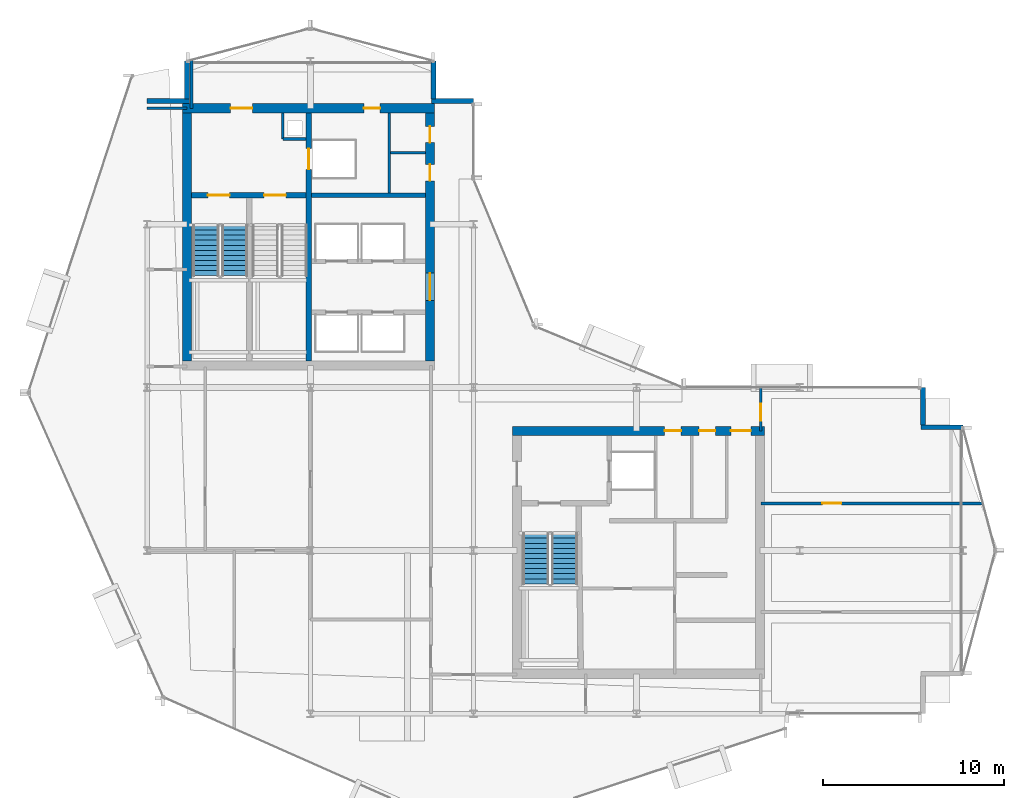
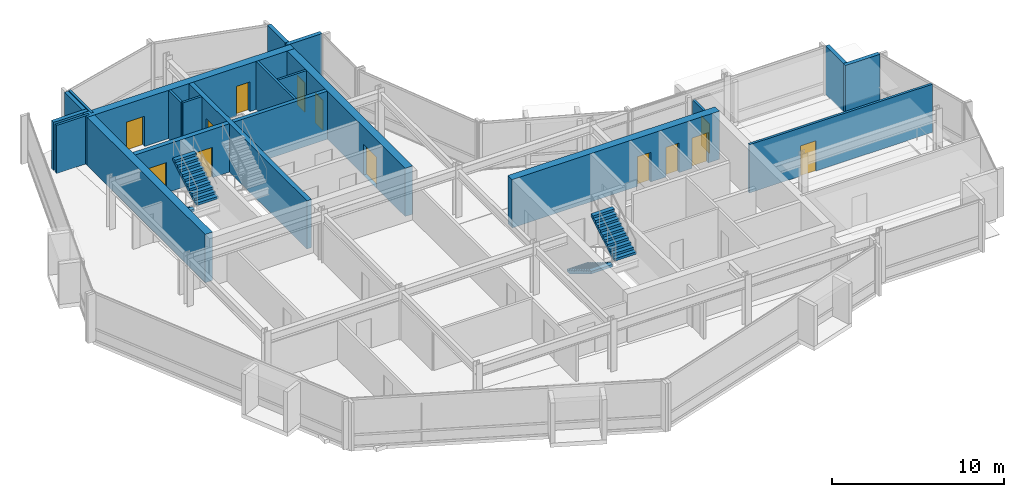
# One storey, part 21 of 28: 21 walls, 13 doors, 4 stair flights, 13 openings, 2 elements without a shape of their own.
"""IFC4 building model written with IfcOpenShell, lengths in metres."""

from ifc_helpers import new_model, si_unit, direction, frame, frame_2d, origin, place, context, subcontext, project, spatial, polyline, rectangle, outline, extrude, material, layer, layer_set, type_object, element, fill, aggregate, save


model = new_model("IFC4")

# Units and contexts
model_context = context("Model", 3, precision=1e-05, world=origin(), true_north=direction((0.0, 1.0)))
body_context = subcontext(model_context, "Body", "Model", "MODEL_VIEW")
ifc_project = project(units=[si_unit("LENGTHUNIT", "METRE"), si_unit("AREAUNIT", "SQUARE_METRE"), si_unit("VOLUMEUNIT", "CUBIC_METRE"), si_unit("PLANEANGLEUNIT", "RADIAN"), si_unit("MASSUNIT", "GRAM", prefix="KILO")], contexts=[model_context])

# Site, building, storey
site_placement = place(None, origin())
site = spatial("IfcSite", under=ifc_project, at=site_placement, CompositionType="ELEMENT")
building_placement = place(site_placement, origin())
building = spatial("IfcBuilding", under=site, at=building_placement, Name="Solvaryn Broadcast Tower", CompositionType="ELEMENT")
storey_placement = place(building_placement, frame((0.0, 0.0, 206.199951171875)))
storey = spatial("IfcBuildingStorey", under=building, at=storey_placement, Name="L51", CompositionType="ELEMENT", Elevation=206.199951171875)

# Wall, openings, doors
ifc_material_1 = material(Name="Concrete f'c 70 MPa", Category="concrete")
ifc_layer_1 = layer(ifc_material_1, 0.5)
ifc_layer_set_1 = layer_set([ifc_layer_1], Name="CW-SHEAR-500")
wall_type_1 = type_object("IfcWallType", Name="CW-SHEAR-500", PredefinedType="SHEAR", material=ifc_layer_set_1)
wall_1_placement = place(storey_placement, frame((24.85009765625, 42.39990234375, 0.0), z_axis=(0.0, 0.0, 1.0), x_axis=(-1.0, 0.0, 0.0)))
wall_1 = element("IfcWall", 1, at=wall_1_placement, inside=storey, type_object=wall_type_1, Name="L51 West Core North Shear Wall", PredefinedType="SHEAR", context=body_context, shape_type="SweptSolid", body=[
    extrude(rectangle(XDim=13.900146484375, YDim=0.5, at=frame_2d((6.9501953125, 0.0))), origin(), (0.0, 0.0, 1.0), 3.420166015625),
])
opening_1_placement = place(wall_1_placement, frame((10.050048828125, 0.0, 0.0)))
opening_1 = element("IfcOpeningElement", 2, at=opening_1_placement, cuts=wall_1, Name="Opening FD90A", PredefinedType="OPENING", context=body_context, shape_type="SweptSolid", body=[
    extrude(rectangle(XDim=1.199951171875, YDim=2.14990234375, at=frame_2d((0.60009765625, 1.074951171875))), frame((0.0, 0.260009765625, 0.0), z_axis=(0.0, -1.0, 0.0), x_axis=(1.0, 0.0, 0.0)), (0.0, 0.0, 1.0), 0.52001953125),
])
opening_2_placement = place(wall_1_placement, frame((3.0, 0.0, 0.0)))
opening_2 = element("IfcOpeningElement", 3, at=opening_2_placement, cuts=wall_1, Name="Opening FD60C", PredefinedType="OPENING", context=body_context, shape_type="SweptSolid", body=[
    extrude(rectangle(XDim=0.89990234375, YDim=2.10009765625, at=frame_2d((0.449951171875, 1.050048828125))), frame((0.0, 0.260009765625, 0.0), z_axis=(0.0, -1.0, 0.0), x_axis=(1.0, 0.0, 0.0)), (0.0, 0.0, 1.0), 0.52001953125),
])
ifc_material_2 = material(Name="Flush Acoustic Steel and Timber Door Assembly", Category="steel")
door_type_1 = type_object("IfcDoorType", Name="FD60-SERV-900X2100", OperationType="NOTDEFINED", PredefinedType="DOOR", material=ifc_material_2)
door_1_placement = place(opening_2_placement, origin())
door_1 = element("IfcDoor", 4, at=door_1_placement, inside=storey, type_object=door_type_1, Name="L51 West Core Fiber Riser Door", OperationType="SINGLE_SWING_RIGHT", OverallHeight=2.10009765625, OverallWidth=0.89990234375, PredefinedType="DOOR", context=body_context, shape_type="SweptSolid", body=[
    extrude(rectangle(XDim=0.89990234375, YDim=2.10009765625, at=frame_2d((0.449951171875, 1.050048828125))), frame((0.0, 0.02490234375, 0.0), z_axis=(0.0, -1.0, 0.0), x_axis=(1.0, 0.0, 0.0)), (0.0, 0.0, 1.0), 0.050048828125),
])
fill(opening_2, door_1)
ifc_material_3 = material(Name="Flush Acoustic Steel and Timber Door Assembly", Category="steel")
door_type_2 = type_object("IfcDoorType", Name="FD90-STAIR-1200X2150", OperationType="NOTDEFINED", PredefinedType="DOOR", material=ifc_material_3)
door_2_placement = place(opening_1_placement, origin())
door_2 = element("IfcDoor", 5, at=door_2_placement, inside=storey, type_object=door_type_2, Name="L51 West FSAE Lobby Corridor Door", OperationType="SINGLE_SWING_LEFT", OverallHeight=2.14990234375, OverallWidth=1.199951171875, PredefinedType="DOOR", context=body_context, shape_type="SweptSolid", body=[
    extrude(rectangle(XDim=1.199951171875, YDim=2.14990234375, at=frame_2d((0.60009765625, 1.074951171875))), frame((0.0, 0.02490234375, 0.0), z_axis=(0.0, -1.0, 0.0), x_axis=(1.0, 0.0, 0.0)), (0.0, 0.0, 1.0), 0.050048828125),
])
fill(opening_1, door_2)

# Wall
wall_2_placement = place(storey_placement, frame((11.199951171875, 42.14990234375, 0.0), z_axis=(0.0, 0.0, 1.0), x_axis=(0.0, -1.0, 0.0)))
element("IfcWall", 6, at=wall_2_placement, inside=storey, type_object=wall_type_1, Name="L51 West Core West Shear Wall", PredefinedType="SHEAR", context=body_context, shape_type="SweptSolid", body=[
    extrude(rectangle(XDim=13.699951171875, YDim=0.5, at=frame_2d((6.85009765625, 0.0))), origin(), (0.0, 0.0, 1.0), 3.420166015625),
])

# Wall, openings, doors
wall_3_placement = place(storey_placement, frame((24.60009765625, 28.449951171875, 0.0), z_axis=(0.0, 0.0, 1.0), x_axis=(0.0, 1.0, 0.0)))
wall_3 = element("IfcWall", 7, at=wall_3_placement, inside=storey, type_object=wall_type_1, Name="L51 West Core East Shear Wall", PredefinedType="SHEAR", context=body_context, shape_type="SweptSolid", body=[
    extrude(rectangle(XDim=13.699951171875, YDim=0.5, at=frame_2d((6.85009765625, 0.0))), origin(), (0.0, 0.0, 1.0), 3.420166015625),
])
opening_3_placement = place(wall_3_placement, frame((3.35009765625, 0.0, 0.0)))
opening_3 = element("IfcOpeningElement", 8, at=opening_3_placement, cuts=wall_3, Name="Opening FD60A", PredefinedType="OPENING", context=body_context, shape_type="SweptSolid", body=[
    extrude(rectangle(XDim=1.5, YDim=2.199951171875, at=frame_2d((0.75, 1.10009765625))), frame((0.0, 0.260009765625, 0.0), z_axis=(0.0, -1.0, 0.0), x_axis=(1.0, 0.0, 0.0)), (0.0, 0.0, 1.0), 0.52001953125),
])
opening_4_placement = place(wall_3_placement, frame((9.949951171875, 0.0, 0.0)))
opening_4 = element("IfcOpeningElement", 9, at=opening_4_placement, cuts=wall_3, Name="Opening FD60C", PredefinedType="OPENING", context=body_context, shape_type="SweptSolid", body=[
    extrude(rectangle(XDim=0.89990234375, YDim=2.10009765625, at=frame_2d((0.449951171875, 1.050048828125))), frame((0.0, 0.260009765625, 0.0), z_axis=(0.0, -1.0, 0.0), x_axis=(1.0, 0.0, 0.0)), (0.0, 0.0, 1.0), 0.52001953125),
])
opening_5_placement = place(wall_3_placement, frame((12.050048828125, 0.0, 0.0)))
opening_5 = element("IfcOpeningElement", 10, at=opening_5_placement, cuts=wall_3, Name="Opening FD60C", PredefinedType="OPENING", context=body_context, shape_type="SweptSolid", body=[
    extrude(rectangle(XDim=0.89990234375, YDim=2.10009765625, at=frame_2d((0.449951171875, 1.050048828125))), frame((0.0, 0.260009765625, 0.0), z_axis=(0.0, -1.0, 0.0), x_axis=(1.0, 0.0, 0.0)), (0.0, 0.0, 1.0), 0.52001953125),
])
ifc_material_4 = material(Name="Flush Acoustic Steel and Timber Door Assembly", Category="steel")
door_type_3 = type_object("IfcDoorType", Name="FD60-CORR-1500X2200", OperationType="NOTDEFINED", PredefinedType="DOOR", material=ifc_material_4)
door_3_placement = place(opening_3_placement, origin())
door_3 = element("IfcDoor", 11, at=door_3_placement, inside=storey, type_object=door_type_3, Name="L51 West Elevator Lobby Corridor Door", OperationType="DOUBLE_DOOR_SINGLE_SWING", OverallHeight=2.199951171875, OverallWidth=1.5, PredefinedType="DOOR", context=body_context, shape_type="SweptSolid", body=[
    extrude(rectangle(XDim=1.5, YDim=2.199951171875, at=frame_2d((0.75, 1.10009765625))), frame((0.0, 0.02490234375, 0.0), z_axis=(0.0, -1.0, 0.0), x_axis=(1.0, 0.0, 0.0)), (0.0, 0.0, 1.0), 0.050048828125),
])
fill(opening_3, door_3)
door_4_placement = place(opening_4_placement, origin())
door_4 = element("IfcDoor", 12, at=door_4_placement, inside=storey, type_object=door_type_1, Name="L51 West Core Service Door 1", OperationType="SINGLE_SWING_LEFT", OverallHeight=2.10009765625, OverallWidth=0.89990234375, PredefinedType="DOOR", context=body_context, shape_type="SweptSolid", body=[
    extrude(rectangle(XDim=0.89990234375, YDim=2.10009765625, at=frame_2d((0.449951171875, 1.050048828125))), frame((0.0, 0.02490234375, 0.0), z_axis=(0.0, -1.0, 0.0), x_axis=(1.0, 0.0, 0.0)), (0.0, 0.0, 1.0), 0.050048828125),
])
fill(opening_4, door_4)
door_5_placement = place(opening_5_placement, origin())
door_5 = element("IfcDoor", 13, at=door_5_placement, inside=storey, type_object=door_type_1, Name="L51 West Core Janitor Door", OperationType="SINGLE_SWING_RIGHT", OverallHeight=2.10009765625, OverallWidth=0.89990234375, PredefinedType="DOOR", context=body_context, shape_type="SweptSolid", body=[
    extrude(rectangle(XDim=0.89990234375, YDim=2.10009765625, at=frame_2d((0.449951171875, 1.050048828125))), frame((0.0, 0.02490234375, 0.0), z_axis=(0.0, -1.0, 0.0), x_axis=(1.0, 0.0, 0.0)), (0.0, 0.0, 1.0), 0.050048828125),
])
fill(opening_5, door_5)

wall_4_placement = place(storey_placement, frame((43.050048828125, 24.60009765625, 0.0), z_axis=(0.0, 0.0, 1.0), x_axis=(-1.0, 0.0, 0.0)))
wall_4 = element("IfcWall", 14, at=wall_4_placement, inside=storey, type_object=wall_type_1, Name="L51 East Core North Shear Wall", PredefinedType="SHEAR", context=body_context, shape_type="SweptSolid", body=[
    extrude(rectangle(XDim=13.900146484375, YDim=0.5, at=frame_2d((6.9501953125, 0.0))), origin(), (0.0, 0.0, 1.0), 3.420166015625),
])
opening_6_placement = place(wall_4_placement, frame((0.75, 0.0, 0.0)))
opening_6 = element("IfcOpeningElement", 15, at=opening_6_placement, cuts=wall_4, Name="Opening FD90C", PredefinedType="OPENING", context=body_context, shape_type="SweptSolid", body=[
    extrude(rectangle(XDim=1.10009765625, YDim=2.14990234375, at=frame_2d((0.550048828125, 1.074951171875))), frame((0.0, 0.260009765625, 0.0), z_axis=(0.0, -1.0, 0.0), x_axis=(1.0, 0.0, 0.0)), (0.0, 0.0, 1.0), 0.52001953125),
])
opening_7_placement = place(wall_4_placement, frame((2.699951171875, 0.0, 0.0)))
opening_7 = element("IfcOpeningElement", 16, at=opening_7_placement, cuts=wall_4, Name="Opening FD60C", PredefinedType="OPENING", context=body_context, shape_type="SweptSolid", body=[
    extrude(rectangle(XDim=0.89990234375, YDim=2.10009765625, at=frame_2d((0.449951171875, 1.050048828125))), frame((0.0, 0.260009765625, 0.0), z_axis=(0.0, -1.0, 0.0), x_axis=(1.0, 0.0, 0.0)), (0.0, 0.0, 1.0), 0.52001953125),
])
opening_8_placement = place(wall_4_placement, frame((4.60009765625, 0.0, 0.0)))
opening_8 = element("IfcOpeningElement", 17, at=opening_8_placement, cuts=wall_4, Name="Opening FD60C", PredefinedType="OPENING", context=body_context, shape_type="SweptSolid", body=[
    extrude(rectangle(XDim=0.89990234375, YDim=2.10009765625, at=frame_2d((0.449951171875, 1.050048828125))), frame((0.0, 0.260009765625, 0.0), z_axis=(0.0, -1.0, 0.0), x_axis=(1.0, 0.0, 0.0)), (0.0, 0.0, 1.0), 0.52001953125),
])
door_6_placement = place(opening_7_placement, origin())
door_6 = element("IfcDoor", 18, at=door_6_placement, inside=storey, type_object=door_type_1, Name="L51 Staff Restroom Door", OperationType="SINGLE_SWING_LEFT", OverallHeight=2.10009765625, OverallWidth=0.89990234375, PredefinedType="DOOR", context=body_context, shape_type="SweptSolid", body=[
    extrude(rectangle(XDim=0.89990234375, YDim=2.10009765625, at=frame_2d((0.449951171875, 1.050048828125))), frame((0.0, 0.02490234375, 0.0), z_axis=(0.0, -1.0, 0.0), x_axis=(1.0, 0.0, 0.0)), (0.0, 0.0, 1.0), 0.050048828125),
])
fill(opening_7, door_6)
door_7_placement = place(opening_8_placement, origin())
door_7 = element("IfcDoor", 19, at=door_7_placement, inside=storey, type_object=door_type_1, Name="L51 Accessible WC Door", OperationType="SINGLE_SWING_RIGHT", OverallHeight=2.10009765625, OverallWidth=0.89990234375, PredefinedType="DOOR", context=body_context, shape_type="SweptSolid", body=[
    extrude(rectangle(XDim=0.89990234375, YDim=2.10009765625, at=frame_2d((0.449951171875, 1.050048828125))), frame((0.0, 0.02490234375, 0.0), z_axis=(0.0, -1.0, 0.0), x_axis=(1.0, 0.0, 0.0)), (0.0, 0.0, 1.0), 0.050048828125),
])
fill(opening_8, door_7)
ifc_material_5 = material(Name="Flush Acoustic Steel and Timber Door Assembly", Category="steel")
door_type_4 = type_object("IfcDoorType", Name="FD90-PLANT-1100X2150", OperationType="NOTDEFINED", PredefinedType="DOOR", material=ifc_material_5)
door_8_placement = place(opening_6_placement, origin())
door_8 = element("IfcDoor", 20, at=door_8_placement, inside=storey, type_object=door_type_4, Name="L51 East Core Lobby Corridor Door", OperationType="SINGLE_SWING_LEFT", OverallHeight=2.14990234375, OverallWidth=1.10009765625, PredefinedType="DOOR", context=body_context, shape_type="SweptSolid", body=[
    extrude(rectangle(XDim=1.10009765625, YDim=2.14990234375, at=frame_2d((0.550048828125, 1.074951171875))), frame((0.0, 0.02490234375, 0.0), z_axis=(0.0, -1.0, 0.0), x_axis=(1.0, 0.0, 0.0)), (0.0, 0.0, 1.0), 0.050048828125),
])
fill(opening_6, door_8)

# Walls
ifc_material_6 = material(Name="Concrete f'c 50 MPa", Category="concrete")
ifc_layer_2 = layer(ifc_material_6, 0.260009765625)
ifc_layer_set_2 = layer_set([ifc_layer_2], Name="EW-PIER-260")
wall_type_2 = type_object("IfcWallType", Name="EW-PIER-260", PredefinedType="SOLIDWALL", material=ifc_layer_set_2)
wall_5_placement = place(storey_placement, frame((9.0, 42.800048828125, 0.0), z_axis=(0.0, 0.0, 1.0), x_axis=(1.0, 0.0, 0.0)))
element("IfcWall", 21, at=wall_5_placement, inside=storey, type_object=wall_type_2, Name="L51 Notched Corner Pier Wall NNW1", PredefinedType="SOLIDWALL", context=body_context, shape_type="SweptSolid", body=[
    extrude(rectangle(XDim=2.320068359375, YDim=0.260009765625, at=frame_2d((1.16015625, 0.0))), origin(), (0.0, 0.0, 1.0), 3.420166015625),
])
for number, where, z_axis, x_axis, name in (
    (22, (11.199951171875, 42.919921875, 0.0), (0.0, 0.0, 1.0), (0.0, 1.0, 0.0), "L51 Notched Corner Pier Wall NNW2"),
    (23, (24.800048828125, 45.0, 0.0), (0.0, 0.0, 1.0), (0.0, -1.0, 0.0), "L51 Notched Corner Pier Wall NNE1"),
):
    element("IfcWall", number, at=place(storey_placement, frame(where, z_axis=z_axis, x_axis=x_axis)), inside=storey, type_object=wall_type_2, Name=name, PredefinedType="SOLIDWALL", context=body_context, shape_type="SweptSolid", body=[
        extrude(rectangle(XDim=2.080078125, YDim=0.260009765625, at=frame_2d((1.0400390625, 0.0))), origin(), (0.0, 0.0, 1.0), 3.420166015625),
    ])
for number, where, z_axis, x_axis, name in (
    (24, (24.679931640625, 42.800048828125, 0.0), (0.0, 0.0, 1.0), (1.0, 0.0, 0.0), "L51 Notched Corner Pier Wall NNE2"),
    (25, (54.0, 24.800048828125, 0.0), (0.0, 0.0, 1.0), (-1.0, 0.0, 0.0), "L51 Notched Corner Pier Wall NEE1"),
):
    element("IfcWall", number, at=place(storey_placement, frame(where, z_axis=z_axis, x_axis=x_axis)), inside=storey, type_object=wall_type_2, Name=name, PredefinedType="SOLIDWALL", context=body_context, shape_type="SweptSolid", body=[
        extrude(rectangle(XDim=2.320068359375, YDim=0.260009765625, at=frame_2d((1.16015625, 0.0))), origin(), (0.0, 0.0, 1.0), 3.420166015625),
    ])
wall_6_placement = place(storey_placement, frame((51.800048828125, 24.919921875, 0.0), z_axis=(0.0, 0.0, 1.0), x_axis=(0.0, 1.0, 0.0)))
element("IfcWall", 26, at=wall_6_placement, inside=storey, type_object=wall_type_2, Name="L51 Notched Corner Pier Wall NEE2", PredefinedType="SOLIDWALL", context=body_context, shape_type="SweptSolid", body=[
    extrude(rectangle(XDim=2.080078125, YDim=0.260009765625, at=frame_2d((1.0400390625, 0.0))), origin(), (0.0, 0.0, 1.0), 3.420166015625),
])
ifc_material_7 = material(Name="Metal-Stud Service Core Partition")
ifc_layer_3 = layer(ifc_material_7, 0.14990234375)
ifc_layer_set_3 = layer_set([ifc_layer_3], Name="IW-PART-150")
wall_type_3 = type_object("IfcWallType", Name="IW-PART-150", PredefinedType="PARTITIONING", material=ifc_layer_set_3)
wall_7_placement = place(storey_placement, frame((16.47998046875, 40.699951171875, 0.0), z_axis=(0.0, 0.0, 1.0), x_axis=(1.0, 0.0, 0.0)))
element("IfcWall", 27, at=wall_7_placement, inside=storey, type_object=wall_type_3, Name="L51 West Core Riser Shaft South Wall", PredefinedType="PARTITIONING", context=body_context, shape_type="SweptSolid", body=[
    extrude(rectangle(XDim=1.2900390625, YDim=0.14990234375, at=frame_2d((0.64501953125, 0.0))), origin(), (0.0, 0.0, 1.0), 3.420166015625),
])
wall_8_placement = place(storey_placement, frame((16.47998046875, 40.699951171875, 0.0), z_axis=(0.0, 0.0, 1.0), x_axis=(0.0, 1.0, 0.0)))
element("IfcWall", 28, at=wall_8_placement, inside=storey, type_object=wall_type_3, Name="L51 West Core Riser Shaft West Wall", PredefinedType="PARTITIONING", context=body_context, shape_type="SweptSolid", body=[
    extrude(rectangle(XDim=1.449951171875, YDim=0.14990234375, at=frame_2d((0.72509765625, 0.0))), origin(), (0.0, 0.0, 1.0), 3.420166015625),
])
wall_9_placement = place(storey_placement, frame((22.35009765625, 37.72998046875, 0.0), z_axis=(0.0, 0.0, 1.0), x_axis=(0.0, 1.0, 0.0)))
element("IfcWall", 29, at=wall_9_placement, inside=storey, type_object=wall_type_3, Name="L51 Interior Partition IW-L51-CWS-V", PredefinedType="PARTITIONING", context=body_context, shape_type="SweptSolid", body=[
    extrude(rectangle(XDim=4.419921875, YDim=0.14990234375, at=frame_2d((2.2099609375, 0.0))), origin(), (0.0, 0.0, 1.0), 3.420166015625),
])
wall_10_placement = place(storey_placement, frame((22.429931640625, 39.949951171875, 0.0), z_axis=(0.0, 0.0, 1.0), x_axis=(1.0, 0.0, 0.0)))
element("IfcWall", 30, at=wall_10_placement, inside=storey, type_object=wall_type_3, Name="L51 Interior Partition IW-L51-CWS-H", PredefinedType="PARTITIONING", context=body_context, shape_type="SweptSolid", body=[
    extrude(rectangle(XDim=1.920166015625, YDim=0.14990234375, at=frame_2d((0.9599609375, 0.0))), origin(), (0.0, 0.0, 1.0), 3.420166015625),
])
ifc_material_8 = material(Name="Metal-Stud Gypsum Office Partition")
ifc_layer_4 = layer(ifc_material_8, 0.159912109375)
ifc_layer_set_4 = layer_set([ifc_layer_4], Name="IW-PART-160")
wall_type_4 = type_object("IfcWallType", Name="IW-PART-160", PredefinedType="PARTITIONING", material=ifc_layer_set_4)
wall_11_placement = place(storey_placement, frame((9.0, 42.39990234375, 0.0), z_axis=(0.0, 0.0, 1.0), x_axis=(1.0, 0.0, 0.0)))
element("IfcWall", 31, at=wall_11_placement, inside=storey, type_object=wall_type_4, Name="L51 Interior Partition IW-L51-WM-N", PredefinedType="PARTITIONING", context=body_context, shape_type="SweptSolid", body=[
    extrude(rectangle(XDim=2.199951171875, YDim=0.159912109375, at=frame_2d((1.10009765625, 0.0))), origin(), (0.0, 0.0, 1.0), 3.420166015625),
])
wall_12_placement = place(storey_placement, frame((11.449951171875, 42.39990234375, 0.0), z_axis=(0.0, 0.0, 1.0), x_axis=(0.0, 1.0, 0.0)))
element("IfcWall", 32, at=wall_12_placement, inside=storey, type_object=wall_type_4, Name="L51 Interior Partition IW-L51-WM-E", PredefinedType="PARTITIONING", context=body_context, shape_type="SweptSolid", body=[
    extrude(rectangle(XDim=2.666015625, YDim=0.159912109375, at=frame_2d((1.3330078125, 0.0))), origin(), (0.0, 0.0, 1.0), 3.420166015625),
])

# Wall, opening, door
wall_13_placement = place(storey_placement, frame((42.85009765625, 24.60009765625, 0.0), z_axis=(0.0, 0.0, 1.0), x_axis=(0.0, 1.0, 0.0)))
wall_13 = element("IfcWall", 33, at=wall_13_placement, inside=storey, type_object=wall_type_4, Name="L51 Interior Partition IW-L51-EW-BN", PredefinedType="PARTITIONING", context=body_context, shape_type="SweptSolid", body=[
    extrude(rectangle(XDim=2.39990234375, YDim=0.159912109375, at=frame_2d((1.199951171875, 0.0))), origin(), (0.0, 0.0, 1.0), 2.70703125),
])
opening_9_placement = place(wall_13_placement, frame((0.550048828125, 0.0, 0.0)))
opening_9 = element("IfcOpeningElement", 34, at=opening_9_placement, cuts=wall_13, Name="Opening ID01", PredefinedType="OPENING", context=body_context, shape_type="SweptSolid", body=[
    extrude(rectangle(XDim=0.949951171875, YDim=2.10009765625, at=frame_2d((0.47509765625, 1.050048828125))), frame((0.0, 0.090087890625, 0.0), z_axis=(0.0, -1.0, 0.0), x_axis=(1.0, 0.0, 0.0)), (0.0, 0.0, 1.0), 0.179931640625),
])
ifc_material_9 = material(Name="Flush Acoustic Steel and Timber Door Assembly", Category="steel")
door_type_5 = type_object("IfcDoorType", Name="ID-01-950X2100", OperationType="NOTDEFINED", PredefinedType="DOOR", material=ifc_material_9)
door_9_placement = place(opening_9_placement, origin())
door_9 = element("IfcDoor", 35, at=door_9_placement, inside=storey, type_object=door_type_5, Name="L51 Door DR-L51-EW0", OperationType="SINGLE_SWING_RIGHT", OverallHeight=2.10009765625, OverallWidth=0.949951171875, PredefinedType="DOOR", context=body_context, shape_type="SweptSolid", body=[
    extrude(rectangle(XDim=0.949951171875, YDim=2.10009765625, at=frame_2d((0.47509765625, 1.050048828125))), frame((0.0, 0.02490234375, 0.0), z_axis=(0.0, -1.0, 0.0), x_axis=(1.0, 0.0, 0.0)), (0.0, 0.0, 1.0), 0.050048828125),
])
fill(opening_9, door_9)

wall_14_placement = place(storey_placement, frame((42.85009765625, 20.60009765625, 0.0), z_axis=(0.0, 0.0, 1.0), x_axis=(1.0, 0.0, 0.0)))
wall_14 = element("IfcWall", 36, at=wall_14_placement, inside=storey, type_object=wall_type_4, Name="L51 Interior Partition IW-L51-EW-H2", PredefinedType="PARTITIONING", context=body_context, shape_type="SweptSolid", body=[
    extrude(rectangle(XDim=12.261962890625, YDim=0.159912109375, at=frame_2d((6.130859375, 0.0))), origin(), (0.0, 0.0, 1.0), 3.420166015625),
])
opening_10_placement = place(wall_14_placement, frame((3.39990234375, 0.0, 0.0)))
opening_10 = element("IfcOpeningElement", 37, at=opening_10_placement, cuts=wall_14, Name="Opening ID03", PredefinedType="OPENING", context=body_context, shape_type="SweptSolid", body=[
    extrude(rectangle(XDim=1.050048828125, YDim=2.14990234375, at=frame_2d((0.52490234375, 1.074951171875))), frame((0.0, 0.090087890625, 0.0), z_axis=(0.0, -1.0, 0.0), x_axis=(1.0, 0.0, 0.0)), (0.0, 0.0, 1.0), 0.179931640625),
])
ifc_material_10 = material(Name="Flush Acoustic Steel and Timber Door Assembly", Category="steel")
door_type_6 = type_object("IfcDoorType", Name="ID-03-1050X2150", OperationType="NOTDEFINED", PredefinedType="DOOR", material=ifc_material_10)
door_10_placement = place(opening_10_placement, origin())
door_10 = element("IfcDoor", 38, at=door_10_placement, inside=storey, type_object=door_type_6, Name="L51 Door DR-L51-EW-2", OperationType="SINGLE_SWING_RIGHT", OverallHeight=2.14990234375, OverallWidth=1.050048828125, PredefinedType="DOOR", context=body_context, shape_type="SweptSolid", body=[
    extrude(rectangle(XDim=1.050048828125, YDim=2.14990234375, at=frame_2d((0.52490234375, 1.074951171875))), frame((0.0, 0.02490234375, 0.0), z_axis=(0.0, -1.0, 0.0), x_axis=(1.0, 0.0, 0.0)), (0.0, 0.0, 1.0), 0.050048828125),
])
fill(opening_10, door_10)

# Wall
ifc_material_11 = material(Name="Concrete f'c 60 MPa", Category="concrete")
ifc_layer_5 = layer(ifc_material_11, 0.25)
ifc_layer_set_5 = layer_set([ifc_layer_5], Name="SW-SHAFT-250")
wall_type_5 = type_object("IfcWallType", Name="SW-SHAFT-250", PredefinedType="PARTITIONING", material=ifc_layer_set_5)
wall_15_placement = place(storey_placement, frame((18.070068359375, 37.60009765625, 0.0), z_axis=(0.0, 0.0, 1.0), x_axis=(1.0, 0.0, 0.0)))
element("IfcWall", 39, at=wall_15_placement, inside=storey, type_object=wall_type_5, Name="L51 West Core FSAE Hoistway Front Wall", PredefinedType="PARTITIONING", context=body_context, shape_type="SweptSolid", body=[
    extrude(rectangle(XDim=6.280029296875, YDim=0.25, at=frame_2d((3.14013671875, 0.0))), origin(), (0.0, 0.0, 1.0), 3.420166015625),
])

# Wall, opening, door
ifc_material_12 = material(Name="Concrete f'c 70 MPa", Category="concrete")
ifc_layer_6 = layer(ifc_material_12, 0.300048828125)
ifc_layer_set_6 = layer_set([ifc_layer_6], Name="SW-SHAFT-300")
wall_type_6 = type_object("IfcWallType", Name="SW-SHAFT-300", PredefinedType="SHEAR", material=ifc_layer_set_6)
wall_16_placement = place(storey_placement, frame((17.919921875, 42.14990234375, 0.0), z_axis=(0.0, 0.0, 1.0), x_axis=(0.0, -1.0, 0.0)))
wall_16 = element("IfcWall", 40, at=wall_16_placement, inside=storey, type_object=wall_type_6, Name="L51 West Core Stair-Lobby Shear Wall", PredefinedType="SHEAR", context=body_context, shape_type="SweptSolid", body=[
    extrude(rectangle(XDim=13.699951171875, YDim=0.300048828125, at=frame_2d((6.85009765625, 0.0))), origin(), (0.0, 0.0, 1.0), 3.420166015625),
])
opening_11_placement = place(wall_16_placement, frame((1.97509765625, 0.0, 0.0)))
opening_11 = element("IfcOpeningElement", 41, at=opening_11_placement, cuts=wall_16, Name="Opening LD01", PredefinedType="OPENING", context=body_context, shape_type="SweptSolid", body=[
    extrude(rectangle(XDim=1.14990234375, YDim=2.14990234375, at=frame_2d((0.574951171875, 1.074951171875))), frame((0.0, 0.159912109375, 0.0), z_axis=(0.0, -1.0, 0.0), x_axis=(1.0, 0.0, 0.0)), (0.0, 0.0, 1.0), 0.320068359375),
])
ifc_material_13 = material(Name="Flush Acoustic Steel and Timber Door Assembly", Category="steel")
door_type_7 = type_object("IfcDoorType", Name="LD-LIFT-1150X2150", OperationType="NOTDEFINED", PredefinedType="DOOR", material=ifc_material_13)
door_11_placement = place(opening_11_placement, origin())
door_11 = element("IfcDoor", 42, at=door_11_placement, inside=storey, type_object=door_type_7, Name="L51 FL1 Lift Landing Door", OperationType="DOUBLE_DOOR_SLIDING", OverallHeight=2.14990234375, OverallWidth=1.14990234375, PredefinedType="DOOR", context=body_context, shape_type="SweptSolid", body=[
    extrude(rectangle(XDim=1.14990234375, YDim=2.14990234375, at=frame_2d((0.574951171875, 1.074951171875))), frame((0.0, 0.02490234375, 0.0), z_axis=(0.0, -1.0, 0.0), x_axis=(1.0, 0.0, 0.0)), (0.0, 0.0, 1.0), 0.050048828125),
])
fill(opening_11, door_11)

# Wall, openings, doors
wall_17_placement = place(storey_placement, frame((17.77001953125, 37.60009765625, 0.0), z_axis=(0.0, 0.0, 1.0), x_axis=(-1.0, 0.0, 0.0)))
wall_17 = element("IfcWall", 43, at=wall_17_placement, inside=storey, type_object=wall_type_6, Name="L51 West Core FSAE Lobby South Wall", PredefinedType="SHEAR", context=body_context, shape_type="SweptSolid", body=[
    extrude(rectangle(XDim=6.320068359375, YDim=0.300048828125, at=frame_2d((3.16015625, 0.0))), origin(), (0.0, 0.0, 1.0), 3.420166015625),
])
opening_12_placement = place(wall_17_placement, frame((4.219970703125, 0.0, 0.0)))
opening_12 = element("IfcOpeningElement", 44, at=opening_12_placement, cuts=wall_17, Name="Opening FD90A", PredefinedType="OPENING", context=body_context, shape_type="SweptSolid", body=[
    extrude(rectangle(XDim=1.199951171875, YDim=2.14990234375, at=frame_2d((0.60009765625, 1.074951171875))), frame((0.0, 0.159912109375, 0.0), z_axis=(0.0, -1.0, 0.0), x_axis=(1.0, 0.0, 0.0)), (0.0, 0.0, 1.0), 0.320068359375),
])
opening_13_placement = place(wall_17_placement, frame((1.1201171875, 0.0, 0.0)))
opening_13 = element("IfcOpeningElement", 45, at=opening_13_placement, cuts=wall_17, Name="Opening FD90A", PredefinedType="OPENING", context=body_context, shape_type="SweptSolid", body=[
    extrude(rectangle(XDim=1.199951171875, YDim=2.14990234375, at=frame_2d((0.60009765625, 1.074951171875))), frame((0.0, 0.159912109375, 0.0), z_axis=(0.0, -1.0, 0.0), x_axis=(1.0, 0.0, 0.0)), (0.0, 0.0, 1.0), 0.320068359375),
])
door_12_placement = place(opening_12_placement, origin())
door_12 = element("IfcDoor", 46, at=door_12_placement, inside=storey, type_object=door_type_2, Name="L51 Stair 1 Fire Door", OperationType="SINGLE_SWING_LEFT", OverallHeight=2.14990234375, OverallWidth=1.199951171875, PredefinedType="DOOR", context=body_context, shape_type="SweptSolid", body=[
    extrude(rectangle(XDim=1.199951171875, YDim=2.14990234375, at=frame_2d((0.60009765625, 1.074951171875))), frame((0.0, 0.02490234375, 0.0), z_axis=(0.0, -1.0, 0.0), x_axis=(1.0, 0.0, 0.0)), (0.0, 0.0, 1.0), 0.050048828125),
])
fill(opening_12, door_12)
door_13_placement = place(opening_13_placement, origin())
door_13 = element("IfcDoor", 47, at=door_13_placement, inside=storey, type_object=door_type_2, Name="L51 Stair 2 Fire Door", OperationType="SINGLE_SWING_RIGHT", OverallHeight=2.14990234375, OverallWidth=1.199951171875, PredefinedType="DOOR", context=body_context, shape_type="SweptSolid", body=[
    extrude(rectangle(XDim=1.199951171875, YDim=2.14990234375, at=frame_2d((0.60009765625, 1.074951171875))), frame((0.0, 0.02490234375, 0.0), z_axis=(0.0, -1.0, 0.0), x_axis=(1.0, 0.0, 0.0)), (0.0, 0.0, 1.0), 0.050048828125),
])
fill(opening_13, door_13)

# Stair, stair flights
ifc_material_14 = material(Name="Concrete f'c 60 MPa", Category="concrete")
stair_type = type_object("IfcStairType", Name="ST-CORE", PredefinedType="HALF_TURN_STAIR", material=ifc_material_14)
stair_1_placement = place(storey_placement, origin())
stair_1 = element("IfcStair", 48, at=stair_1_placement, inside=storey, type_object=stair_type, Name="L51 ST1", PredefinedType="HALF_TURN_STAIR")
ifc_material_15 = material(Name="Concrete f'c 60 MPa", Category="concrete")
ifc_layer_7 = layer(ifc_material_15, 0.159912109375)
ifc_layer_set_7 = layer_set([ifc_layer_7], Name="SF-CORE")
stair_flight_type = type_object("IfcStairFlightType", Name="SF-CORE", PredefinedType="STRAIGHT", material=ifc_layer_set_7)
stair_flight_1_placement = place(storey_placement, frame((12.239990234375, 35.9599609375, 0.0), z_axis=(0.0, 0.0, 1.0), x_axis=(0.0, -1.0, 0.0)))
stair_flight_1 = element("IfcStairFlight", 49, at=stair_flight_1_placement, type_object=stair_flight_type, Name="ST1 flight 1", NumberOfRisers=11, NumberOfTreads=10, PredefinedType="STRAIGHT", RiserHeight=0.168181818, TreadLength=0.28, context=body_context, shape_type="SweptSolid", body=[
    extrude(outline(polyline([(0.0, 0.0), (0.0, 0.168212890625), (0.280029296875, 0.168212890625), (0.280029296875, 0.33642578125), (0.56005859375, 0.33642578125), (0.56005859375, 0.504638671875), (0.840087890625, 0.504638671875), (0.840087890625, 0.672607421875), (1.1201171875, 0.672607421875), (1.1201171875, 0.8408203125), (1.39990234375, 0.8408203125), (1.39990234375, 1.009033203125), (1.679931640625, 1.009033203125), (1.679931640625, 1.17724609375), (1.9599609375, 1.17724609375), (1.9599609375, 1.345458984375), (2.239990234375, 1.345458984375), (2.239990234375, 1.513671875), (2.52001953125, 1.513671875), (2.52001953125, 1.681884765625), (2.800048828125, 1.681884765625), (2.800048828125, 1.85009765625), (2.800048828125, 1.5068359375), (0.291015625, 0.0), (0.0, 0.0)])), frame((0.0, 0.719970703125, 0.0), z_axis=(0.0, -1.0, 0.0), x_axis=(1.0, 0.0, 0.0)), (0.0, 0.0, 1.0), 1.43994140625),
])
stair_flight_2_placement = place(storey_placement, frame((13.830078125, 33.159912109375, 1.85009765625), z_axis=(0.0, 0.0, 1.0), x_axis=(0.0, 1.0, 0.0)))
stair_flight_2 = element("IfcStairFlight", 50, at=stair_flight_2_placement, type_object=stair_flight_type, Name="ST1 flight 2", NumberOfRisers=11, NumberOfTreads=10, PredefinedType="STRAIGHT", RiserHeight=0.168181818, TreadLength=0.28, context=body_context, shape_type="SweptSolid", body=[
    extrude(outline(polyline([(0.0, 0.0), (0.0, 0.168212890625), (0.280029296875, 0.168212890625), (0.280029296875, 0.33642578125), (0.56005859375, 0.33642578125), (0.56005859375, 0.504638671875), (0.840087890625, 0.504638671875), (0.840087890625, 0.672607421875), (1.1201171875, 0.672607421875), (1.1201171875, 0.8408203125), (1.39990234375, 0.8408203125), (1.39990234375, 1.009033203125), (1.679931640625, 1.009033203125), (1.679931640625, 1.17724609375), (1.9599609375, 1.17724609375), (1.9599609375, 1.345458984375), (2.239990234375, 1.345458984375), (2.239990234375, 1.513671875), (2.52001953125, 1.513671875), (2.52001953125, 1.681884765625), (2.800048828125, 1.681884765625), (2.800048828125, 1.85009765625), (2.800048828125, 1.5068359375), (0.291015625, 0.0), (0.0, 0.0)])), frame((0.0, 0.719970703125, 0.0), z_axis=(0.0, -1.0, 0.0), x_axis=(1.0, 0.0, 0.0)), (0.0, 0.0, 1.0), 1.43994140625),
])
aggregate(stair_1, [stair_flight_1, stair_flight_2])

stair_2_placement = place(storey_placement, origin())
stair_2 = element("IfcStair", 51, at=stair_2_placement, inside=storey, type_object=stair_type, Name="L51 ST3", PredefinedType="HALF_TURN_STAIR")
stair_flight_3_placement = place(storey_placement, frame((30.43994140625, 18.9599609375, 0.0), z_axis=(0.0, 0.0, 1.0), x_axis=(0.0, -1.0, 0.0)))
stair_flight_3 = element("IfcStairFlight", 52, at=stair_flight_3_placement, type_object=stair_flight_type, Name="ST3 flight 1", NumberOfRisers=11, NumberOfTreads=10, PredefinedType="STRAIGHT", RiserHeight=0.168181818, TreadLength=0.28, context=body_context, shape_type="SweptSolid", body=[
    extrude(outline(polyline([(0.0, 0.0), (0.0, 0.168212890625), (0.280029296875, 0.168212890625), (0.280029296875, 0.33642578125), (0.56005859375, 0.33642578125), (0.56005859375, 0.504638671875), (0.840087890625, 0.504638671875), (0.840087890625, 0.672607421875), (1.1201171875, 0.672607421875), (1.1201171875, 0.8408203125), (1.39990234375, 0.8408203125), (1.39990234375, 1.009033203125), (1.679931640625, 1.009033203125), (1.679931640625, 1.17724609375), (1.9599609375, 1.17724609375), (1.9599609375, 1.345458984375), (2.239990234375, 1.345458984375), (2.239990234375, 1.513671875), (2.52001953125, 1.513671875), (2.52001953125, 1.681884765625), (2.800048828125, 1.681884765625), (2.800048828125, 1.85009765625), (2.800048828125, 1.5068359375), (0.291015625, 0.0), (0.0, 0.0)])), frame((0.0, 0.719970703125, 0.0), z_axis=(0.0, -1.0, 0.0), x_axis=(1.0, 0.0, 0.0)), (0.0, 0.0, 1.0), 1.43994140625),
])
stair_flight_4_placement = place(storey_placement, frame((32.030029296875, 16.159912109375, 1.85009765625), z_axis=(0.0, 0.0, 1.0), x_axis=(0.0, 1.0, 0.0)))
stair_flight_4 = element("IfcStairFlight", 53, at=stair_flight_4_placement, type_object=stair_flight_type, Name="ST3 flight 2", NumberOfRisers=11, NumberOfTreads=10, PredefinedType="STRAIGHT", RiserHeight=0.168181818, TreadLength=0.28, context=body_context, shape_type="SweptSolid", body=[
    extrude(outline(polyline([(0.0, 0.0), (0.0, 0.168212890625), (0.280029296875, 0.168212890625), (0.280029296875, 0.33642578125), (0.56005859375, 0.33642578125), (0.56005859375, 0.504638671875), (0.840087890625, 0.504638671875), (0.840087890625, 0.672607421875), (1.1201171875, 0.672607421875), (1.1201171875, 0.8408203125), (1.39990234375, 0.8408203125), (1.39990234375, 1.009033203125), (1.679931640625, 1.009033203125), (1.679931640625, 1.17724609375), (1.9599609375, 1.17724609375), (1.9599609375, 1.345458984375), (2.239990234375, 1.345458984375), (2.239990234375, 1.513671875), (2.52001953125, 1.513671875), (2.52001953125, 1.681884765625), (2.800048828125, 1.681884765625), (2.800048828125, 1.85009765625), (2.800048828125, 1.5068359375), (0.291015625, 0.0), (0.0, 0.0)])), frame((0.0, 0.719970703125, 0.0), z_axis=(0.0, -1.0, 0.0), x_axis=(1.0, 0.0, 0.0)), (0.0, 0.0, 1.0), 1.43994140625),
])
aggregate(stair_2, [stair_flight_3, stair_flight_4])

save(model, "model.ifc")
